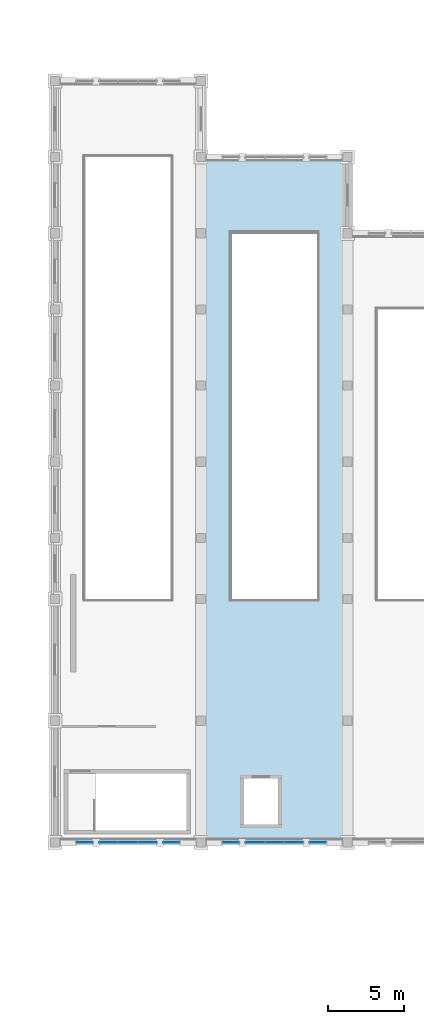
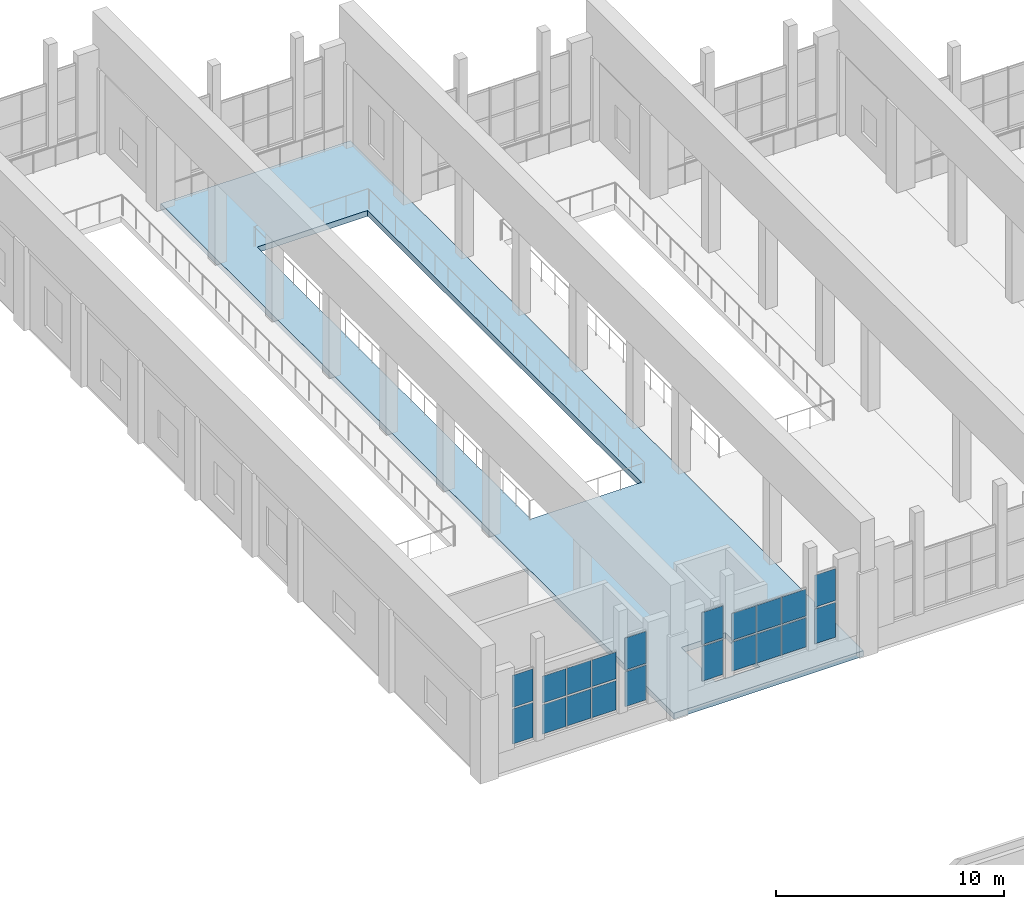
# One storey, part 21 of 46: 20 plates, 1 slab, 6 elements without a shape of their own.
"""IFC4 building model written with IfcOpenShell, lengths in metres."""

from ifc_helpers import new_model, si_unit, direction, frame, origin, origin_2d, place, context, subcontext, project, spatial, polyline, rectangle, outline, extrude, material, layer, layer_set, type_object, element, aggregate, save


model = new_model("IFC4")

# Units and contexts
model_context = context("Model", 3, precision=1e-05, world=origin(), true_north=direction((0.0, 1.0)))
body_context = subcontext(model_context, "Body", "Model", "MODEL_VIEW")
ifc_project = project(units=[si_unit("LENGTHUNIT", "METRE"), si_unit("AREAUNIT", "SQUARE_METRE"), si_unit("VOLUMEUNIT", "CUBIC_METRE"), si_unit("PLANEANGLEUNIT", "RADIAN"), si_unit("MASSUNIT", "GRAM", prefix="KILO")], contexts=[model_context])

# Site, building, storey
site_placement = place(None, origin())
site = spatial("IfcSite", under=ifc_project, at=site_placement, CompositionType="ELEMENT")
building_placement = place(site_placement, origin())
building = spatial("IfcBuilding", under=site, at=building_placement, Name="Mavantir Sound Aquarium", CompositionType="ELEMENT")
storey_placement = place(building_placement, frame((0.0, 0.0, 15.300048828125)))
storey = spatial("IfcBuildingStorey", under=building, at=storey_placement, Name="L03", CompositionType="ELEMENT", Elevation=15.300048828125)

# Curtain wall, plates
ifc_material_1 = material(Name="Anodised Marine Aluminium and Low-E Glass", Category="aluminium")
curtain_wall_type_1 = type_object("IfcCurtainWallType", Name="CW-T22", PredefinedType="USERDEFINED", material=ifc_material_1)
curtain_wall_1_placement = place(storey_placement, origin())
curtain_wall_1 = element("IfcCurtainWall", 1, at=curtain_wall_1_placement, inside=storey, type_object=curtain_wall_type_1, Name="L03 unitised curtain wall CW-22 141", ObjectType="UNITISED GLAZING", PredefinedType="USERDEFINED")
ifc_material_2 = material(Name="Solar-Control Laminated Low-E Glass", Category="glass")
ifc_layer_1 = layer(ifc_material_2, 0.028076171875, Name="Solar-Control Laminated Low-E Glass")
ifc_layer_set_1 = layer_set([ifc_layer_1], Name="Solar-Control Laminated Low-E Glass")
plate_type_1 = type_object("IfcPlateType", Name="CW-PNL-28", PredefinedType="CURTAIN_PANEL", material=ifc_layer_set_1)
plate_1_placement = place(storey_placement, frame((111.533203125, 40.800048828125, 1.222900390625), z_axis=(0.0, 0.0, 1.0), x_axis=(1.0, 0.0, 0.0)))
plate_1 = element("IfcPlate", 2, at=plate_1_placement, type_object=plate_type_1, Name="CW-DIOC-1S-C glazed curtain panel 1.1", PredefinedType="CURTAIN_PANEL", context=body_context, shape_type="SweptSolid", body=[
    extrude(rectangle(XDim=1.21875, YDim=0.028076171875, at=origin_2d()), origin(), (0.0, 0.0, 1.0), 1.56494140625),
])
plate_2_placement = place(storey_placement, frame((111.533203125, 40.800048828125, 2.8837890625), z_axis=(0.0, 0.0, 1.0), x_axis=(1.0, 0.0, 0.0)))
plate_2 = element("IfcPlate", 3, at=plate_2_placement, type_object=plate_type_1, Name="CW-DIOC-1S-C glazed curtain panel 1.2", PredefinedType="CURTAIN_PANEL", context=body_context, shape_type="SweptSolid", body=[
    extrude(rectangle(XDim=1.21875, YDim=0.028076171875, at=origin_2d()), origin(), (0.0, 0.0, 1.0), 1.43310546875),
])
plate_3_placement = place(storey_placement, frame((112.800048828125, 40.800048828125, 1.222900390625), z_axis=(0.0, 0.0, 1.0), x_axis=(1.0, 0.0, 0.0)))
plate_3 = element("IfcPlate", 4, at=plate_3_placement, type_object=plate_type_1, Name="CW-DIOC-1S-C glazed curtain panel 2.1", PredefinedType="CURTAIN_PANEL", context=body_context, shape_type="SweptSolid", body=[
    extrude(rectangle(XDim=1.21875, YDim=0.028076171875, at=origin_2d()), origin(), (0.0, 0.0, 1.0), 1.56494140625),
])
plate_4_placement = place(storey_placement, frame((112.800048828125, 40.800048828125, 2.8837890625), z_axis=(0.0, 0.0, 1.0), x_axis=(1.0, 0.0, 0.0)))
plate_4 = element("IfcPlate", 5, at=plate_4_placement, type_object=plate_type_1, Name="CW-DIOC-1S-C glazed curtain panel 2.2", PredefinedType="CURTAIN_PANEL", context=body_context, shape_type="SweptSolid", body=[
    extrude(rectangle(XDim=1.21875, YDim=0.028076171875, at=origin_2d()), origin(), (0.0, 0.0, 1.0), 1.43310546875),
])
plate_5_placement = place(storey_placement, frame((114.066650390625, 40.800048828125, 1.222900390625), z_axis=(0.0, 0.0, 1.0), x_axis=(1.0, 0.0, 0.0)))
plate_5 = element("IfcPlate", 6, at=plate_5_placement, type_object=plate_type_1, Name="CW-DIOC-1S-C glazed curtain panel 3.1", PredefinedType="CURTAIN_PANEL", context=body_context, shape_type="SweptSolid", body=[
    extrude(rectangle(XDim=1.21875, YDim=0.028076171875, at=origin_2d()), origin(), (0.0, 0.0, 1.0), 1.56494140625),
])
plate_6_placement = place(storey_placement, frame((114.066650390625, 40.800048828125, 2.8837890625), z_axis=(0.0, 0.0, 1.0), x_axis=(1.0, 0.0, 0.0)))
plate_6 = element("IfcPlate", 7, at=plate_6_placement, type_object=plate_type_1, Name="CW-DIOC-1S-C glazed curtain panel 3.2", PredefinedType="CURTAIN_PANEL", context=body_context, shape_type="SweptSolid", body=[
    extrude(rectangle(XDim=1.21875, YDim=0.028076171875, at=origin_2d()), origin(), (0.0, 0.0, 1.0), 1.43310546875),
])
aggregate(curtain_wall_1, [plate_1, plate_2, plate_3, plate_4, plate_5, plate_6])

curtain_wall_type_2 = type_object("IfcCurtainWallType", Name="CW-T24", PredefinedType="USERDEFINED", material=ifc_material_1)
curtain_wall_2_placement = place(storey_placement, origin())
curtain_wall_2 = element("IfcCurtainWall", 8, at=curtain_wall_2_placement, inside=storey, type_object=curtain_wall_type_2, Name="L03 unitised curtain wall CW-24 143", ObjectType="UNITISED GLAZING", PredefinedType="USERDEFINED")
plate_7_placement = place(storey_placement, frame((115.64990234375, 40.800048828125, 1.222900390625), z_axis=(0.0, 0.0, 1.0), x_axis=(1.0, 0.0, 0.0)))
plate_7 = element("IfcPlate", 9, at=plate_7_placement, type_object=plate_type_1, Name="CW-DIOC-1S-R glazed curtain panel 1.1", PredefinedType="CURTAIN_PANEL", context=body_context, shape_type="SweptSolid", body=[
    extrude(rectangle(XDim=1.052001953125, YDim=0.028076171875, at=origin_2d()), origin(), (0.0, 0.0, 1.0), 1.86669921875),
])
plate_8_placement = place(storey_placement, frame((115.64990234375, 40.800048828125, 3.185546875), z_axis=(0.0, 0.0, 1.0), x_axis=(1.0, 0.0, 0.0)))
plate_8 = element("IfcPlate", 10, at=plate_8_placement, type_object=plate_type_1, Name="CW-DIOC-1S-R glazed curtain panel 1.2", PredefinedType="CURTAIN_PANEL", context=body_context, shape_type="SweptSolid", body=[
    extrude(rectangle(XDim=1.052001953125, YDim=0.028076171875, at=origin_2d()), origin(), (0.0, 0.0, 1.0), 1.71142578125),
])
aggregate(curtain_wall_2, [plate_7, plate_8])

curtain_wall_type_3 = type_object("IfcCurtainWallType", Name="CW-T04", PredefinedType="USERDEFINED", material=ifc_material_1)
curtain_wall_3_placement = place(storey_placement, origin())
curtain_wall_3 = element("IfcCurtainWall", 11, at=curtain_wall_3_placement, inside=storey, type_object=curtain_wall_type_3, Name="L03 unitised curtain wall CW-04 147", ObjectType="UNITISED GLAZING", PredefinedType="USERDEFINED")
plate_9_placement = place(storey_placement, frame((121.13330078125, 40.800048828125, 1.222900390625), z_axis=(0.0, 0.0, 1.0), x_axis=(1.0, 0.0, 0.0)))
plate_9 = element("IfcPlate", 12, at=plate_9_placement, type_object=plate_type_1, Name="CW-DIOC-2S-C glazed curtain panel 1.1", PredefinedType="CURTAIN_PANEL", context=body_context, shape_type="SweptSolid", body=[
    extrude(rectangle(XDim=1.21875, YDim=0.028076171875, at=origin_2d()), origin(), (0.0, 0.0, 1.0), 1.56494140625),
])
plate_10_placement = place(storey_placement, frame((121.13330078125, 40.800048828125, 2.8837890625), z_axis=(0.0, 0.0, 1.0), x_axis=(1.0, 0.0, 0.0)))
plate_10 = element("IfcPlate", 13, at=plate_10_placement, type_object=plate_type_1, Name="CW-DIOC-2S-C glazed curtain panel 1.2", PredefinedType="CURTAIN_PANEL", context=body_context, shape_type="SweptSolid", body=[
    extrude(rectangle(XDim=1.21875, YDim=0.028076171875, at=origin_2d()), origin(), (0.0, 0.0, 1.0), 1.43310546875),
])
plate_11_placement = place(storey_placement, frame((122.39990234375, 40.800048828125, 1.222900390625), z_axis=(0.0, 0.0, 1.0), x_axis=(1.0, 0.0, 0.0)))
plate_11 = element("IfcPlate", 14, at=plate_11_placement, type_object=plate_type_1, Name="CW-DIOC-2S-C glazed curtain panel 2.1", PredefinedType="CURTAIN_PANEL", context=body_context, shape_type="SweptSolid", body=[
    extrude(rectangle(XDim=1.21875, YDim=0.028076171875, at=origin_2d()), origin(), (0.0, 0.0, 1.0), 1.56494140625),
])
plate_12_placement = place(storey_placement, frame((122.39990234375, 40.800048828125, 2.8837890625), z_axis=(0.0, 0.0, 1.0), x_axis=(1.0, 0.0, 0.0)))
plate_12 = element("IfcPlate", 15, at=plate_12_placement, type_object=plate_type_1, Name="CW-DIOC-2S-C glazed curtain panel 2.2", PredefinedType="CURTAIN_PANEL", context=body_context, shape_type="SweptSolid", body=[
    extrude(rectangle(XDim=1.21875, YDim=0.028076171875, at=origin_2d()), origin(), (0.0, 0.0, 1.0), 1.43310546875),
])
plate_13_placement = place(storey_placement, frame((123.666748046875, 40.800048828125, 1.222900390625), z_axis=(0.0, 0.0, 1.0), x_axis=(1.0, 0.0, 0.0)))
plate_13 = element("IfcPlate", 16, at=plate_13_placement, type_object=plate_type_1, Name="CW-DIOC-2S-C glazed curtain panel 3.1", PredefinedType="CURTAIN_PANEL", context=body_context, shape_type="SweptSolid", body=[
    extrude(rectangle(XDim=1.21875, YDim=0.028076171875, at=origin_2d()), origin(), (0.0, 0.0, 1.0), 1.56494140625),
])
plate_14_placement = place(storey_placement, frame((123.666748046875, 40.800048828125, 2.8837890625), z_axis=(0.0, 0.0, 1.0), x_axis=(1.0, 0.0, 0.0)))
plate_14 = element("IfcPlate", 17, at=plate_14_placement, type_object=plate_type_1, Name="CW-DIOC-2S-C glazed curtain panel 3.2", PredefinedType="CURTAIN_PANEL", context=body_context, shape_type="SweptSolid", body=[
    extrude(rectangle(XDim=1.21875, YDim=0.028076171875, at=origin_2d()), origin(), (0.0, 0.0, 1.0), 1.43310546875),
])
aggregate(curtain_wall_3, [plate_9, plate_10, plate_11, plate_12, plate_13, plate_14])

curtain_wall_type_4 = type_object("IfcCurtainWallType", Name="CW-T06", PredefinedType="USERDEFINED", material=ifc_material_1)
curtain_wall_4_placement = place(storey_placement, origin())
curtain_wall_4 = element("IfcCurtainWall", 18, at=curtain_wall_4_placement, inside=storey, type_object=curtain_wall_type_4, Name="L03 unitised curtain wall CW-06 149", ObjectType="UNITISED GLAZING", PredefinedType="USERDEFINED")
plate_15_placement = place(storey_placement, frame((125.25, 40.800048828125, 1.222900390625), z_axis=(0.0, 0.0, 1.0), x_axis=(1.0, 0.0, 0.0)))
plate_15 = element("IfcPlate", 19, at=plate_15_placement, type_object=plate_type_1, Name="CW-DIOC-2S-R glazed curtain panel 1.1", PredefinedType="CURTAIN_PANEL", context=body_context, shape_type="SweptSolid", body=[
    extrude(rectangle(XDim=1.052001953125, YDim=0.028076171875, at=origin_2d()), origin(), (0.0, 0.0, 1.0), 1.86669921875),
])
plate_16_placement = place(storey_placement, frame((125.25, 40.800048828125, 3.185546875), z_axis=(0.0, 0.0, 1.0), x_axis=(1.0, 0.0, 0.0)))
plate_16 = element("IfcPlate", 20, at=plate_16_placement, type_object=plate_type_1, Name="CW-DIOC-2S-R glazed curtain panel 1.2", PredefinedType="CURTAIN_PANEL", context=body_context, shape_type="SweptSolid", body=[
    extrude(rectangle(XDim=1.052001953125, YDim=0.028076171875, at=origin_2d()), origin(), (0.0, 0.0, 1.0), 1.71142578125),
])
aggregate(curtain_wall_4, [plate_15, plate_16])

curtain_wall_type_5 = type_object("IfcCurtainWallType", Name="CW-T23", PredefinedType="USERDEFINED", material=ifc_material_1)
curtain_wall_5_placement = place(storey_placement, origin())
curtain_wall_5 = element("IfcCurtainWall", 21, at=curtain_wall_5_placement, inside=storey, type_object=curtain_wall_type_5, Name="L03 unitised curtain wall CW-23 142", ObjectType="UNITISED GLAZING", PredefinedType="USERDEFINED")
ifc_layer_2 = layer(ifc_material_2, 0.031982421875, Name="Solar-Control Laminated Low-E Glass")
ifc_layer_set_2 = layer_set([ifc_layer_2], Name="Solar-Control Laminated Low-E Glass")
plate_type_2 = type_object("IfcPlateType", Name="CW-PNL-32", PredefinedType="CURTAIN_PANEL", material=ifc_layer_set_2)
plate_17_placement = place(storey_placement, frame((109.949951171875, 40.800048828125, 1.222900390625), z_axis=(0.0, 0.0, 1.0), x_axis=(1.0, 0.0, 0.0)))
plate_17 = element("IfcPlate", 22, at=plate_17_placement, type_object=plate_type_2, Name="CW-DIOC-1S-L glazed curtain panel 1.1", PredefinedType="CURTAIN_PANEL", context=body_context, shape_type="SweptSolid", body=[
    extrude(rectangle(XDim=1.052001953125, YDim=0.031982421875, at=origin_2d()), origin(), (0.0, 0.0, 1.0), 1.86669921875),
])
plate_18_placement = place(storey_placement, frame((109.949951171875, 40.800048828125, 3.185546875), z_axis=(0.0, 0.0, 1.0), x_axis=(1.0, 0.0, 0.0)))
plate_18 = element("IfcPlate", 23, at=plate_18_placement, type_object=plate_type_2, Name="CW-DIOC-1S-L glazed curtain panel 1.2", PredefinedType="CURTAIN_PANEL", context=body_context, shape_type="SweptSolid", body=[
    extrude(rectangle(XDim=1.052001953125, YDim=0.031982421875, at=origin_2d()), origin(), (0.0, 0.0, 1.0), 1.71142578125),
])
aggregate(curtain_wall_5, [plate_17, plate_18])

curtain_wall_type_6 = type_object("IfcCurtainWallType", Name="CW-T05", PredefinedType="USERDEFINED", material=ifc_material_1)
curtain_wall_6_placement = place(storey_placement, origin())
curtain_wall_6 = element("IfcCurtainWall", 24, at=curtain_wall_6_placement, inside=storey, type_object=curtain_wall_type_6, Name="L03 unitised curtain wall CW-05 148", ObjectType="UNITISED GLAZING", PredefinedType="USERDEFINED")
plate_19_placement = place(storey_placement, frame((119.550048828125, 40.800048828125, 1.222900390625), z_axis=(0.0, 0.0, 1.0), x_axis=(1.0, 0.0, 0.0)))
plate_19 = element("IfcPlate", 25, at=plate_19_placement, type_object=plate_type_2, Name="CW-DIOC-2S-L glazed curtain panel 1.1", PredefinedType="CURTAIN_PANEL", context=body_context, shape_type="SweptSolid", body=[
    extrude(rectangle(XDim=1.052001953125, YDim=0.031982421875, at=origin_2d()), origin(), (0.0, 0.0, 1.0), 1.86669921875),
])
plate_20_placement = place(storey_placement, frame((119.550048828125, 40.800048828125, 3.185546875), z_axis=(0.0, 0.0, 1.0), x_axis=(1.0, 0.0, 0.0)))
plate_20 = element("IfcPlate", 26, at=plate_20_placement, type_object=plate_type_2, Name="CW-DIOC-2S-L glazed curtain panel 1.2", PredefinedType="CURTAIN_PANEL", context=body_context, shape_type="SweptSolid", body=[
    extrude(rectangle(XDim=1.052001953125, YDim=0.031982421875, at=origin_2d()), origin(), (0.0, 0.0, 1.0), 1.71142578125),
])
aggregate(curtain_wall_6, [plate_19, plate_20])

# Slab
ifc_material_3 = material(Name="Concrete C40/50", Category="concrete")
ifc_layer_3 = layer(ifc_material_3, 0.31005859375, Name="Concrete C40/50")
ifc_layer_set_3 = layer_set([ifc_layer_3], Name="Concrete C40/50")
slab_type = type_object("IfcSlabType", Name="SLB-FS-07", PredefinedType="FLOOR", material=ifc_layer_set_3)
slab_placement = place(storey_placement, frame((0.0, 0.0, -0.31005859375)))
element("IfcSlab", 27, at=slab_placement, inside=storey, type_object=slab_type, Name="L03 structural slab FS-07 (V4)", PredefinedType="FLOOR", context=body_context, shape_type="SweptSolid", body=[
    extrude(outline(polyline([(127.199951171875, 40.800048828125), (127.199951171875, 85.800048828125), (117.60009765625, 85.800048828125), (117.60009765625, 40.800048828125), (127.199951171875, 40.800048828125)]), holes=[polyline([(119.60009765625, 56.800048828125), (125.199951171875, 56.800048828125), (125.199951171875, 80.800048828125), (119.60009765625, 80.800048828125), (119.60009765625, 56.800048828125)]), polyline([(120.39990234375, 42.0), (122.64990234375, 42.0), (122.64990234375, 45.0), (120.39990234375, 45.0), (120.39990234375, 42.0)])]), origin(), (0.0, 0.0, 1.0), 0.31005859375),
])

save(model, "model.ifc")
